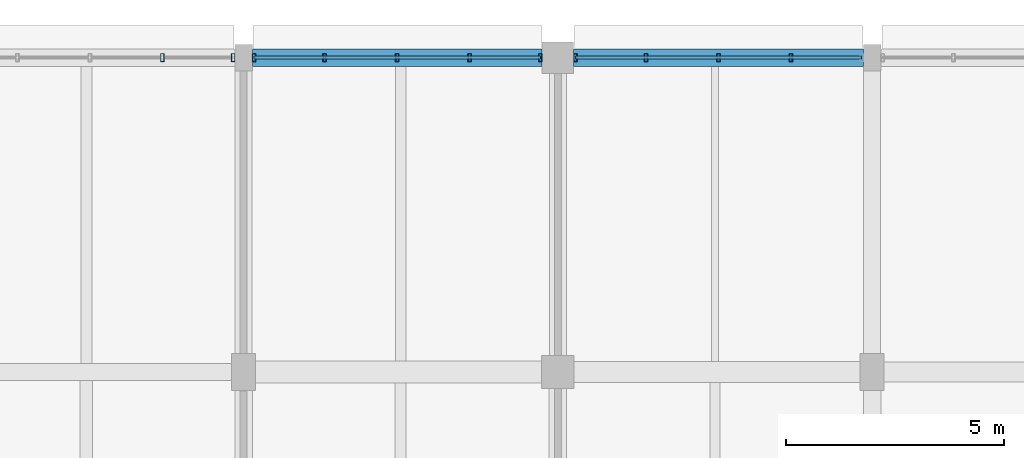
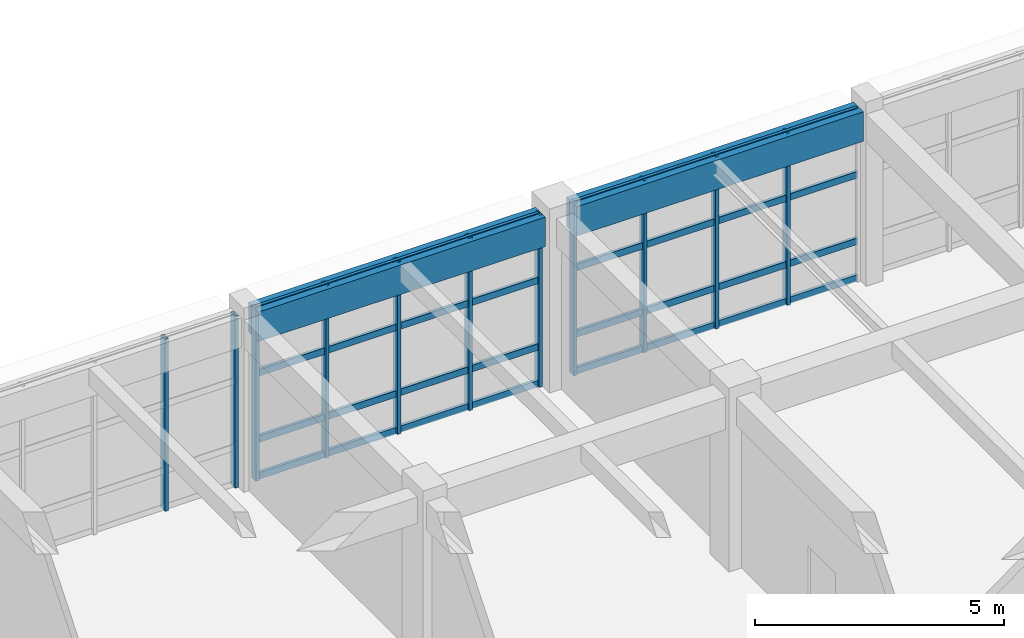
# One storey, part 112 of 171: 19 members, 2 beams, 3 elements without a shape of their own.
"""IFC4 building model written with IfcOpenShell, lengths in metres."""

from ifc_helpers import new_model, si_unit, direction, frame, origin, origin_2d, place, context, subcontext, project, spatial, rectangle, hollow_rectangle, extrude, material, material_profile, profile_set, type_object, element, aggregate, save


model = new_model("IFC4")

# Units and contexts
model_context = context("Model", 3, precision=1e-05, world=origin(), true_north=direction((0.0, 1.0)))
body_context = subcontext(model_context, "Body", "Model", "MODEL_VIEW")
ifc_project = project(units=[si_unit("LENGTHUNIT", "METRE"), si_unit("AREAUNIT", "SQUARE_METRE"), si_unit("VOLUMEUNIT", "CUBIC_METRE"), si_unit("PLANEANGLEUNIT", "RADIAN"), si_unit("MASSUNIT", "GRAM", prefix="KILO")], contexts=[model_context])

# Site, building, storey
site_placement = place(None, origin())
site = spatial("IfcSite", under=ifc_project, at=site_placement, CompositionType="ELEMENT")
building_placement = place(site_placement, origin())
building = spatial("IfcBuilding", under=site, at=building_placement, Name="Thalmaran Polytechnic", CompositionType="ELEMENT")
storey_placement = place(building_placement, frame((0.0, 0.0, 5.39990234375)))
storey = spatial("IfcBuildingStorey", under=building, at=storey_placement, Name="L01", CompositionType="ELEMENT", Elevation=5.39990234375)

# Beams
ifc_material_1 = material(Name="Concrete C40/50", Category="concrete")
ifc_material_profile_1 = material_profile(ifc_material_1, rectangle(XDim=0.39990234375, YDim=0.719970703125, at=origin_2d()), Name="RC 400x720")
ifc_profile_set_1 = profile_set([ifc_material_profile_1], Name="Concrete C40/50")
beam_type = type_object("IfcBeamType", Name="BM-SP01", PredefinedType="SPANDREL", material=ifc_profile_set_1)
beam_1_placement = place(storey_placement, frame((129.800048828125, 122.39990234375, 3.85009765625), z_axis=(1.0, 0.0, 0.0), x_axis=(0.0, 1.0, 0.0)))
element("IfcBeam", 1, at=beam_1_placement, inside=storey, type_object=beam_type, Name="Grid Beam SP01 L01 X(18,17)", PredefinedType="SPANDREL", context=body_context, shape_type="SweptSolid", body=[
    extrude(rectangle(XDim=0.39990234375, YDim=0.719970703125, at=origin_2d()), origin(), (0.0, 0.0, 1.0), 6.639892578125),
])
beam_2_placement = place(storey_placement, frame((137.159912109375, 122.39990234375, 3.85009765625), z_axis=(1.0, 0.0, 0.0), x_axis=(0.0, 1.0, 0.0)))
element("IfcBeam", 2, at=beam_2_placement, inside=storey, type_object=beam_type, Name="Grid Beam SP01 L01 X(19,17)", PredefinedType="SPANDREL", context=body_context, shape_type="SweptSolid", body=[
    extrude(rectangle(XDim=0.39990234375, YDim=0.719970703125, at=origin_2d()), origin(), (0.0, 0.0, 1.0), 6.64013671875),
])

# Curtain wall, members
ifc_material_2 = material(Name="Aluminium 6063-T6", Category="aluminium")
curtain_wall_type = type_object("IfcCurtainWallType", Name="CW-UC02", PredefinedType="USERDEFINED", material=ifc_material_2)
curtain_wall_1_placement = place(storey_placement, origin())
curtain_wall_1 = element("IfcCurtainWall", 3, at=curtain_wall_1_placement, inside=storey, type_object=curtain_wall_type, Name="Curtain Wall CW-L01-096", ObjectType="UNITISED CURTAIN WALL", PredefinedType="USERDEFINED")
ifc_material_profile_2 = material_profile(ifc_material_2, hollow_rectangle(XDim=0.080078125, YDim=0.179931640625, WallThickness=0.0048828125, at=origin_2d()), Name="RHS 180x80x5.0")
ifc_profile_set_2 = profile_set([ifc_material_profile_2], Name="Aluminium 6063-T6")
member_type_1 = type_object("IfcMemberType", Name="CW-MUL1", PredefinedType="MULLION", material=ifc_profile_set_2)
member_1_placement = place(storey_placement, frame((127.739990234375, 122.39990234375, 0.0), z_axis=(0.0, 0.0, 1.0), x_axis=(1.0, 0.0, 0.0)))
member_1 = element("IfcMember", 4, at=member_1_placement, type_object=member_type_1, Name="CW-L01-096 Mullion 4", PredefinedType="MULLION", context=body_context, shape_type="SweptSolid", body=[
    extrude(hollow_rectangle(XDim=0.080078125, YDim=0.179931640625, WallThickness=0.0048828125, at=origin_2d()), origin(), (0.0, 0.0, 1.0), 4.210205078125),
])
member_2_placement = place(storey_placement, frame((129.360107421875, 122.39990234375, 0.0), z_axis=(0.0, 0.0, 1.0), x_axis=(1.0, 0.0, 0.0)))
member_2 = element("IfcMember", 5, at=member_2_placement, type_object=member_type_1, Name="CW-L01-096 Mullion 5", PredefinedType="MULLION", context=body_context, shape_type="SweptSolid", body=[
    extrude(hollow_rectangle(XDim=0.080078125, YDim=0.179931640625, WallThickness=0.0048828125, at=origin_2d()), origin(), (0.0, 0.0, 1.0), 4.210205078125),
])
aggregate(curtain_wall_1, [member_1, member_2])

curtain_wall_2_placement = place(storey_placement, origin())
curtain_wall_2 = element("IfcCurtainWall", 6, at=curtain_wall_2_placement, inside=storey, type_object=curtain_wall_type, Name="Curtain Wall CW-L01-097", ObjectType="UNITISED CURTAIN WALL", PredefinedType="USERDEFINED")
member_3_placement = place(storey_placement, frame((129.840087890625, 122.39990234375, 0.0), z_axis=(0.0, 0.0, 1.0), x_axis=(1.0, 0.0, 0.0)))
member_3 = element("IfcMember", 7, at=member_3_placement, type_object=member_type_1, Name="CW-L01-097 Mullion 1", PredefinedType="MULLION", context=body_context, shape_type="SweptSolid", body=[
    extrude(hollow_rectangle(XDim=0.080078125, YDim=0.179931640625, WallThickness=0.0048828125, at=origin_2d()), origin(), (0.0, 0.0, 1.0), 4.210205078125),
])
member_4_placement = place(storey_placement, frame((131.4599609375, 122.39990234375, 0.0), z_axis=(0.0, 0.0, 1.0), x_axis=(1.0, 0.0, 0.0)))
member_4 = element("IfcMember", 8, at=member_4_placement, type_object=member_type_1, Name="CW-L01-097 Mullion 2", PredefinedType="MULLION", context=body_context, shape_type="SweptSolid", body=[
    extrude(hollow_rectangle(XDim=0.080078125, YDim=0.179931640625, WallThickness=0.0048828125, at=origin_2d()), origin(), (0.0, 0.0, 1.0), 4.210205078125),
])
member_5_placement = place(storey_placement, frame((133.1201171875, 122.39990234375, 0.0), z_axis=(0.0, 0.0, 1.0), x_axis=(1.0, 0.0, 0.0)))
member_5 = element("IfcMember", 9, at=member_5_placement, type_object=member_type_1, Name="CW-L01-097 Mullion 3", PredefinedType="MULLION", context=body_context, shape_type="SweptSolid", body=[
    extrude(hollow_rectangle(XDim=0.080078125, YDim=0.179931640625, WallThickness=0.0048828125, at=origin_2d()), origin(), (0.0, 0.0, 1.0), 4.210205078125),
])
member_6_placement = place(storey_placement, frame((134.780029296875, 122.39990234375, 0.0), z_axis=(0.0, 0.0, 1.0), x_axis=(1.0, 0.0, 0.0)))
member_6 = element("IfcMember", 10, at=member_6_placement, type_object=member_type_1, Name="CW-L01-097 Mullion 4", PredefinedType="MULLION", context=body_context, shape_type="SweptSolid", body=[
    extrude(hollow_rectangle(XDim=0.080078125, YDim=0.179931640625, WallThickness=0.0048828125, at=origin_2d()), origin(), (0.0, 0.0, 1.0), 4.210205078125),
])
member_7_placement = place(storey_placement, frame((136.39990234375, 122.39990234375, 0.0), z_axis=(0.0, 0.0, 1.0), x_axis=(1.0, 0.0, 0.0)))
member_7 = element("IfcMember", 11, at=member_7_placement, type_object=member_type_1, Name="CW-L01-097 Mullion 5", PredefinedType="MULLION", context=body_context, shape_type="SweptSolid", body=[
    extrude(hollow_rectangle(XDim=0.080078125, YDim=0.179931640625, WallThickness=0.0048828125, at=origin_2d()), origin(), (0.0, 0.0, 1.0), 4.210205078125),
])

curtain_wall_3_placement = place(storey_placement, origin())
curtain_wall_3 = element("IfcCurtainWall", 12, at=curtain_wall_3_placement, inside=storey, type_object=curtain_wall_type, Name="Curtain Wall CW-L01-098", ObjectType="UNITISED CURTAIN WALL", PredefinedType="USERDEFINED")
member_8_placement = place(storey_placement, frame((137.199951171875, 122.39990234375, 0.0), z_axis=(0.0, 0.0, 1.0), x_axis=(1.0, 0.0, 0.0)))
member_8 = element("IfcMember", 13, at=member_8_placement, type_object=member_type_1, Name="CW-L01-098 Mullion 1", PredefinedType="MULLION", context=body_context, shape_type="SweptSolid", body=[
    extrude(hollow_rectangle(XDim=0.080078125, YDim=0.179931640625, WallThickness=0.0048828125, at=origin_2d()), origin(), (0.0, 0.0, 1.0), 4.210205078125),
])
member_9_placement = place(storey_placement, frame((138.820068359375, 122.39990234375, 0.0), z_axis=(0.0, 0.0, 1.0), x_axis=(1.0, 0.0, 0.0)))
member_9 = element("IfcMember", 14, at=member_9_placement, type_object=member_type_1, Name="CW-L01-098 Mullion 2", PredefinedType="MULLION", context=body_context, shape_type="SweptSolid", body=[
    extrude(hollow_rectangle(XDim=0.080078125, YDim=0.179931640625, WallThickness=0.0048828125, at=origin_2d()), origin(), (0.0, 0.0, 1.0), 4.210205078125),
])
member_10_placement = place(storey_placement, frame((140.47998046875, 122.39990234375, 0.0), z_axis=(0.0, 0.0, 1.0), x_axis=(1.0, 0.0, 0.0)))
member_10 = element("IfcMember", 15, at=member_10_placement, type_object=member_type_1, Name="CW-L01-098 Mullion 3", PredefinedType="MULLION", context=body_context, shape_type="SweptSolid", body=[
    extrude(hollow_rectangle(XDim=0.080078125, YDim=0.179931640625, WallThickness=0.0048828125, at=origin_2d()), origin(), (0.0, 0.0, 1.0), 4.210205078125),
])
member_11_placement = place(storey_placement, frame((142.139892578125, 122.39990234375, 0.0), z_axis=(0.0, 0.0, 1.0), x_axis=(1.0, 0.0, 0.0)))
member_11 = element("IfcMember", 16, at=member_11_placement, type_object=member_type_1, Name="CW-L01-098 Mullion 4", PredefinedType="MULLION", context=body_context, shape_type="SweptSolid", body=[
    extrude(hollow_rectangle(XDim=0.080078125, YDim=0.179931640625, WallThickness=0.0048828125, at=origin_2d()), origin(), (0.0, 0.0, 1.0), 4.210205078125),
])

# Member
ifc_material_profile_3 = material_profile(ifc_material_2, hollow_rectangle(XDim=0.070068359375, YDim=0.159912109375, WallThickness=0.00390625, at=origin_2d()), Name="AL 160x70x4.0")
ifc_profile_set_3 = profile_set([ifc_material_profile_3], Name="Aluminium 6063-T6")
member_type_2 = type_object("IfcMemberType", Name="CW-TRN1", PredefinedType="USERDEFINED", material=ifc_profile_set_3)
member_12_placement = place(storey_placement, frame((129.840087890625, 122.39990234375, 0.06005859375), z_axis=(1.0, 0.0, 0.0), x_axis=(0.0, 1.0, 0.0)))
member_12 = element("IfcMember", 17, at=member_12_placement, type_object=member_type_2, Name="CW-L01-097 Transom 1", ObjectType="TRANSOM", PredefinedType="USERDEFINED", context=body_context, shape_type="SweptSolid", body=[
    extrude(hollow_rectangle(XDim=0.070068359375, YDim=0.159912109375, WallThickness=0.00390625, at=origin_2d()), origin(), (0.0, 0.0, 1.0), 6.559814453125),
])

member_13_placement = place(storey_placement, frame((129.840087890625, 122.39990234375, 0.960205078125), z_axis=(1.0, 0.0, 0.0), x_axis=(0.0, 1.0, 0.0)))
member_13 = element("IfcMember", 18, at=member_13_placement, type_object=member_type_2, Name="CW-L01-097 Transom 2", ObjectType="TRANSOM", PredefinedType="USERDEFINED", context=body_context, shape_type="SweptSolid", body=[
    extrude(hollow_rectangle(XDim=0.070068359375, YDim=0.159912109375, WallThickness=0.00390625, at=origin_2d()), origin(), (0.0, 0.0, 1.0), 6.559814453125),
])

member_14_placement = place(storey_placement, frame((129.840087890625, 122.39990234375, 2.585205078125), z_axis=(1.0, 0.0, 0.0), x_axis=(0.0, 1.0, 0.0)))
member_14 = element("IfcMember", 19, at=member_14_placement, type_object=member_type_2, Name="CW-L01-097 Transom 3", ObjectType="TRANSOM", PredefinedType="USERDEFINED", context=body_context, shape_type="SweptSolid", body=[
    extrude(hollow_rectangle(XDim=0.070068359375, YDim=0.159912109375, WallThickness=0.00390625, at=origin_2d()), origin(), (0.0, 0.0, 1.0), 6.559814453125),
])

member_15_placement = place(storey_placement, frame((129.840087890625, 122.39990234375, 4.150146484375), z_axis=(1.0, 0.0, 0.0), x_axis=(0.0, 1.0, 0.0)))
member_15 = element("IfcMember", 20, at=member_15_placement, type_object=member_type_2, Name="CW-L01-097 Transom 4", ObjectType="TRANSOM", PredefinedType="USERDEFINED", context=body_context, shape_type="SweptSolid", body=[
    extrude(hollow_rectangle(XDim=0.070068359375, YDim=0.159912109375, WallThickness=0.00390625, at=origin_2d()), origin(), (0.0, 0.0, 1.0), 6.559814453125),
])

aggregate(curtain_wall_2, [member_3, member_4, member_5, member_6, member_7, member_12, member_13, member_14, member_15])

member_16_placement = place(storey_placement, frame((137.199951171875, 122.39990234375, 0.06005859375), z_axis=(1.0, 0.0, 0.0), x_axis=(0.0, 1.0, 0.0)))
member_16 = element("IfcMember", 21, at=member_16_placement, type_object=member_type_2, Name="CW-L01-098 Transom 1", ObjectType="TRANSOM", PredefinedType="USERDEFINED", context=body_context, shape_type="SweptSolid", body=[
    extrude(hollow_rectangle(XDim=0.070068359375, YDim=0.159912109375, WallThickness=0.00390625, at=origin_2d()), origin(), (0.0, 0.0, 1.0), 6.56005859375),
])

member_17_placement = place(storey_placement, frame((137.199951171875, 122.39990234375, 0.960205078125), z_axis=(1.0, 0.0, 0.0), x_axis=(0.0, 1.0, 0.0)))
member_17 = element("IfcMember", 22, at=member_17_placement, type_object=member_type_2, Name="CW-L01-098 Transom 2", ObjectType="TRANSOM", PredefinedType="USERDEFINED", context=body_context, shape_type="SweptSolid", body=[
    extrude(hollow_rectangle(XDim=0.070068359375, YDim=0.159912109375, WallThickness=0.00390625, at=origin_2d()), origin(), (0.0, 0.0, 1.0), 6.56005859375),
])

member_18_placement = place(storey_placement, frame((137.199951171875, 122.39990234375, 2.585205078125), z_axis=(1.0, 0.0, 0.0), x_axis=(0.0, 1.0, 0.0)))
member_18 = element("IfcMember", 23, at=member_18_placement, type_object=member_type_2, Name="CW-L01-098 Transom 3", ObjectType="TRANSOM", PredefinedType="USERDEFINED", context=body_context, shape_type="SweptSolid", body=[
    extrude(hollow_rectangle(XDim=0.070068359375, YDim=0.159912109375, WallThickness=0.00390625, at=origin_2d()), origin(), (0.0, 0.0, 1.0), 6.56005859375),
])

member_19_placement = place(storey_placement, frame((137.199951171875, 122.39990234375, 4.150146484375), z_axis=(1.0, 0.0, 0.0), x_axis=(0.0, 1.0, 0.0)))
member_19 = element("IfcMember", 24, at=member_19_placement, type_object=member_type_2, Name="CW-L01-098 Transom 4", ObjectType="TRANSOM", PredefinedType="USERDEFINED", context=body_context, shape_type="SweptSolid", body=[
    extrude(hollow_rectangle(XDim=0.070068359375, YDim=0.159912109375, WallThickness=0.00390625, at=origin_2d()), origin(), (0.0, 0.0, 1.0), 6.56005859375),
])

aggregate(curtain_wall_3, [member_8, member_9, member_10, member_11, member_16, member_17, member_18, member_19])

save(model, "model.ifc")
